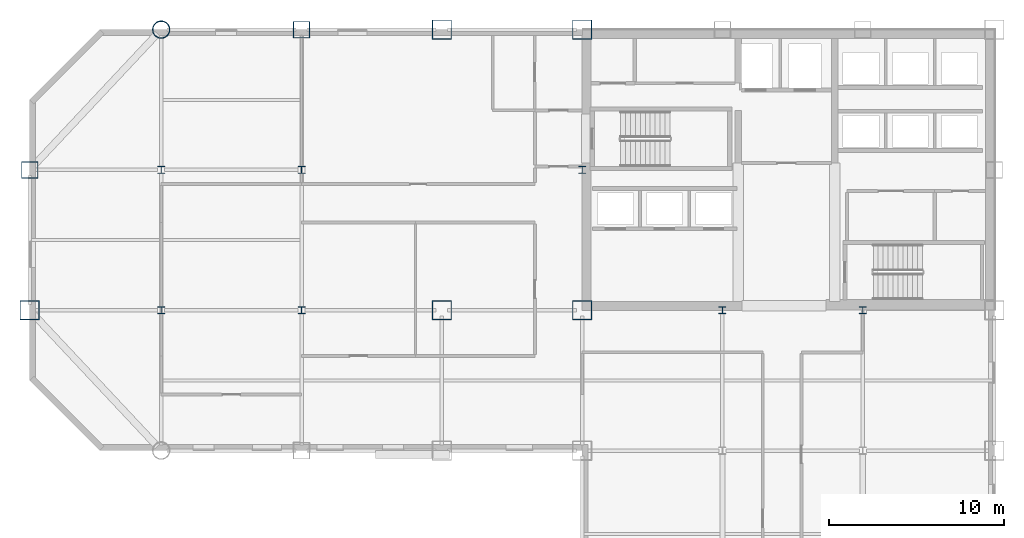
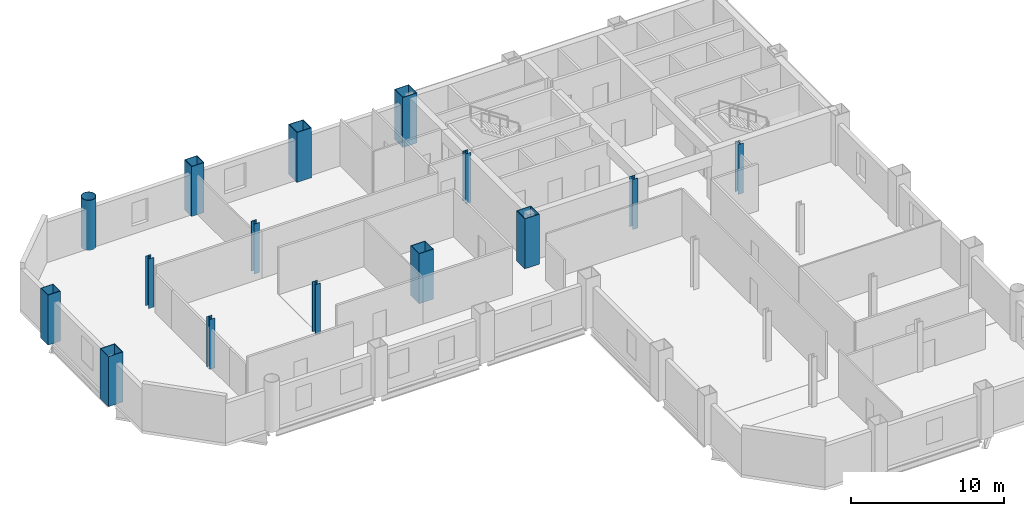
# One storey, part 3 of 9: 15 columns.
"""IFC4 building model written with IfcOpenShell, lengths in metres."""

from ifc_helpers import new_model, si_unit, direction, frame, origin, origin_2d, place, context, subcontext, project, spatial, hollow_rectangle, hollow_circle, i_section, extrude, material, material_profile, profile_set, type_object, element, save


model = new_model("IFC4")

# Units and contexts
model_context = context("Model", 3, precision=1e-05, world=origin(), true_north=direction((0.0, 1.0)))
body_context = subcontext(model_context, "Body", "Model", "MODEL_VIEW")
ifc_project = project(units=[si_unit("LENGTHUNIT", "METRE"), si_unit("AREAUNIT", "SQUARE_METRE"), si_unit("VOLUMEUNIT", "CUBIC_METRE"), si_unit("PLANEANGLEUNIT", "RADIAN"), si_unit("MASSUNIT", "GRAM", prefix="KILO")], contexts=[model_context])

# Site, building, storey
site_placement = place(None, origin())
site = spatial("IfcSite", under=ifc_project, at=site_placement, CompositionType="ELEMENT")
building_placement = place(site_placement, origin())
building = spatial("IfcBuilding", under=site, at=building_placement, Name="Qianrong Seaharbour Tower", CompositionType="ELEMENT")
storey_placement = place(building_placement, frame((0.0, 0.0, 147.0)))
storey = spatial("IfcBuildingStorey", under=building, at=storey_placement, Name="L35", CompositionType="ELEMENT", Elevation=147.0)

# Columns
ifc_material = material(Name="Structural steel SN490B", Category="steel")
ifc_material_profile_1 = material_profile(ifc_material, hollow_rectangle(XDim=1.10009765625, YDim=1.10009765625, WallThickness=0.0400390625, at=origin_2d()), Name="BOX1100x1100x40")
ifc_profile_set_1 = profile_set([ifc_material_profile_1], Name="Structural steel SN490B")
column_type_1 = type_object("IfcColumnType", Name="COL-CFT-1100", PredefinedType="COLUMN", material=ifc_profile_set_1)
for number, where, z_axis, x_axis, name in (
    (1, (9.0, 36.0, 0.0), (0.0, 0.0, 1.0), (1.0, 0.0, 0.0), "L35 Column MC-3 at G2/GF"),
    (2, (32.5, 36.0, 0.0), (0.0, 0.0, 1.0), (1.0, 0.0, 0.0), "L35 Column MC-3 at G5/GF"),
    (3, (32.5, 52.0, 0.0), (0.0, 0.0, 1.0), (1.0, 0.0, 0.0), "L35 Column MC-3 at G5/GH"),
    (4, (40.5, 36.0, 0.0), (0.0, 0.0, 1.0), (1.0, 0.0, 0.0), "L35 Column MC-3 at G6/GF"),
    (5, (40.5, 52.0, 0.0), (0.0, 0.0, 1.0), (1.0, 0.0, 0.0), "L35 Column MC-3 at G6/GH"),
):
    element("IfcColumn", number, at=place(storey_placement, frame(where, z_axis=z_axis, x_axis=x_axis)), inside=storey, type_object=column_type_1, Name=name, PredefinedType="COLUMN", context=body_context, shape_type="SweptSolid", body=[
        extrude(hollow_rectangle(XDim=1.10009765625, YDim=1.10009765625, WallThickness=0.0400390625, at=origin_2d()), origin(), (0.0, 0.0, 1.0), 4.0),
    ])
ifc_material_profile_2 = material_profile(ifc_material, hollow_circle(Radius=0.5, WallThickness=0.035888671875, at=origin_2d()), Name="CHS1000x36")
ifc_profile_set_2 = profile_set([ifc_material_profile_2], Name="Structural steel SN490B")
column_type_2 = type_object("IfcColumnType", Name="COL-CHS-1000", PredefinedType="COLUMN", material=ifc_profile_set_2)
column_placement = place(storey_placement, frame((16.5, 52.0, 0.0), z_axis=(0.0, 0.0, 1.0), x_axis=(1.0, 0.0, 0.0)))
element("IfcColumn", 6, at=column_placement, inside=storey, type_object=column_type_2, Name="L35 Column CC-2 at G3/GH", PredefinedType="COLUMN", context=body_context, shape_type="SweptSolid", body=[
    extrude(hollow_circle(Radius=0.5, WallThickness=0.035888671875, at=origin_2d()), origin(), (0.0, 0.0, 1.0), 4.0),
])
ifc_material_profile_3 = material_profile(ifc_material, i_section(OverallWidth=0.39990234375, OverallDepth=0.39990234375, WebThickness=0.012939453125, FlangeThickness=0.02099609375, FilletRadius=0.02197265625, at=origin_2d()), Name="H400x400x13x21")
ifc_profile_set_3 = profile_set([ifc_material_profile_3], Name="Structural steel SN490B")
column_type_3 = type_object("IfcColumnType", Name="COL-INT-H400", PredefinedType="COLUMN", material=ifc_profile_set_3)
for number, where, z_axis, x_axis, name in (
    (7, (16.5, 36.0, 0.0), (0.0, 0.0, 1.0), (1.0, 0.0, 0.0), "L35 Column IC-3 at G3/GF"),
    (8, (16.5, 44.0, 0.0), (0.0, 0.0, 1.0), (1.0, 0.0, 0.0), "L35 Column IC-3 at G3/GG"),
    (9, (24.5, 36.0, 0.0), (0.0, 0.0, 1.0), (1.0, 0.0, 0.0), "L35 Column IC-3 at G4/GF"),
    (10, (24.5, 44.0, 0.0), (0.0, 0.0, 1.0), (1.0, 0.0, 0.0), "L35 Column IC-3 at G4/GG"),
    (11, (40.5, 44.0, 0.0), (0.0, 0.0, 1.0), (1.0, 0.0, 0.0), "L35 Column IC-3 at G6/GG"),
    (12, (48.5, 36.0, 0.0), (0.0, 0.0, 1.0), (1.0, 0.0, 0.0), "L35 Column IC-3 at G7/GF"),
    (13, (56.5, 36.0, 0.0), (0.0, 0.0, 1.0), (1.0, 0.0, 0.0), "L35 Column IC-3 at G8/GF"),
):
    element("IfcColumn", number, at=place(storey_placement, frame(where, z_axis=z_axis, x_axis=x_axis)), inside=storey, type_object=column_type_3, Name=name, PredefinedType="COLUMN", context=body_context, shape_type="SweptSolid", body=[
        extrude(i_section(OverallWidth=0.39990234375, OverallDepth=0.39990234375, WebThickness=0.012939453125, FlangeThickness=0.02099609375, FilletRadius=0.02197265625, at=origin_2d()), origin(), (0.0, 0.0, 1.0), 4.0),
    ])
ifc_material_profile_4 = material_profile(ifc_material, hollow_rectangle(XDim=0.949951171875, YDim=0.949951171875, WallThickness=0.035888671875, at=origin_2d()), Name="BOX950x950x36")
ifc_profile_set_4 = profile_set([ifc_material_profile_4], Name="Structural steel SN490B")
column_type_4 = type_object("IfcColumnType", Name="COL-PER-950", PredefinedType="COLUMN", material=ifc_profile_set_4)
for number, where, z_axis, x_axis, name in (
    (14, (9.0, 44.0, 0.0), (0.0, 0.0, 1.0), (1.0, 0.0, 0.0), "L35 Column PC-2 at G2/GG"),
    (15, (24.5, 52.0, 0.0), (0.0, 0.0, 1.0), (1.0, 0.0, 0.0), "L35 Column PC-2 at G4/GH"),
):
    element("IfcColumn", number, at=place(storey_placement, frame(where, z_axis=z_axis, x_axis=x_axis)), inside=storey, type_object=column_type_4, Name=name, PredefinedType="COLUMN", context=body_context, shape_type="SweptSolid", body=[
        extrude(hollow_rectangle(XDim=0.949951171875, YDim=0.949951171875, WallThickness=0.035888671875, at=origin_2d()), origin(), (0.0, 0.0, 1.0), 4.0),
    ])

save(model, "model.ifc")
